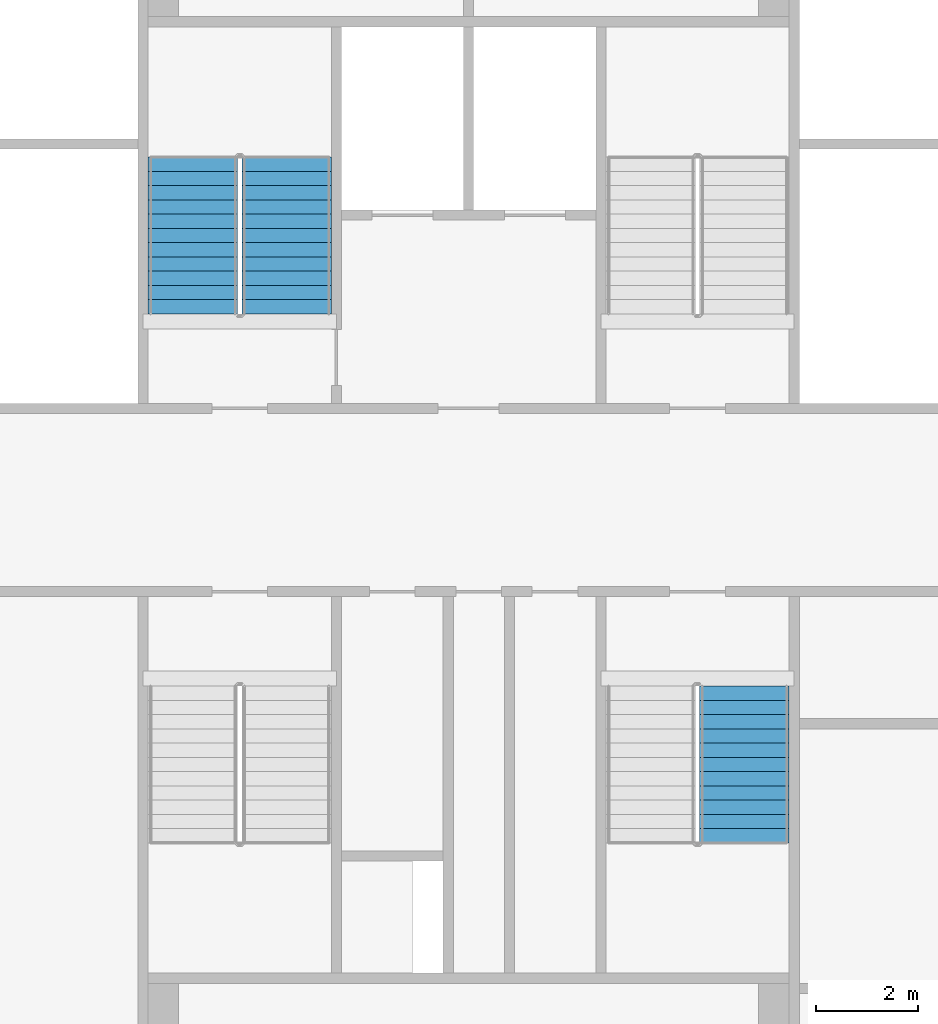
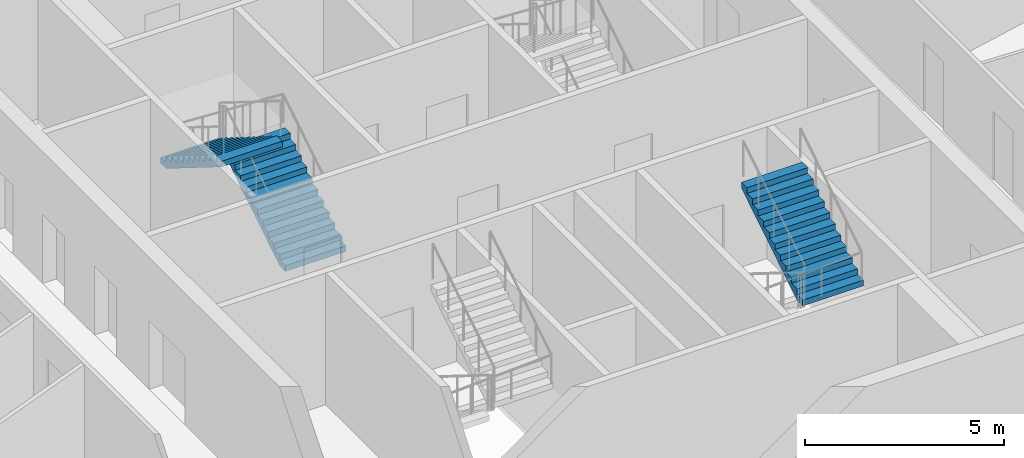
# One storey, part 27 of 33: 3 stair flights, 2 elements without a shape of their own.
"""IFC4 building model written with IfcOpenShell, lengths in metres."""

from ifc_helpers import new_model, si_unit, direction, frame, origin, place, context, subcontext, project, spatial, faceted_brep, material, type_object, element, aggregate, save


model = new_model("IFC4")

# Units and contexts
model_context = context("Model", 3, precision=1e-05, world=origin(), true_north=direction((0.0, 1.0)))
body_context = subcontext(model_context, "Body", "Model", "MODEL_VIEW")
ifc_project = project(units=[si_unit("LENGTHUNIT", "METRE"), si_unit("AREAUNIT", "SQUARE_METRE"), si_unit("VOLUMEUNIT", "CUBIC_METRE"), si_unit("PLANEANGLEUNIT", "RADIAN"), si_unit("MASSUNIT", "GRAM", prefix="KILO")], contexts=[model_context])

# Site, building, storey
site_placement = place(None, origin())
site = spatial("IfcSite", under=ifc_project, at=site_placement, CompositionType="ELEMENT")
building_placement = place(site_placement, origin())
building = spatial("IfcBuilding", under=site, at=building_placement, Name="Tarsis Ring Headquarters", CompositionType="ELEMENT")
storey_placement = place(building_placement, frame((0.0, 0.0, 369.199951171875)))
storey = spatial("IfcBuildingStorey", under=building, at=storey_placement, Name="L87", CompositionType="ELEMENT", Elevation=369.199951171875)

# Stair, stair flights
ifc_material_1 = material(Name="Core stair 1760")
stair_type = type_object("IfcStairType", Name="Core stair 1760", PredefinedType="HALF_TURN_STAIR", material=ifc_material_1)
stair_1_placement = place(storey_placement, origin())
stair_1 = element("IfcStair", 1, at=stair_1_placement, inside=storey, type_object=stair_type, Name="L87 Firefighting stair", PredefinedType="HALF_TURN_STAIR")
ifc_material_2 = material(Name="Concrete C40/50", Category="concrete")
stair_flight_type = type_object("IfcStairFlightType", Name="Core stair flight 1760", PredefinedType="STRAIGHT", material=ifc_material_2)
stair_flight_1_placement = place(storey_placement, frame((-3.580078125, 3.659912109375, 0.0), z_axis=(0.0, 0.0, 1.0), x_axis=(0.0, 1.0, 0.0)))
stair_flight_1 = element("IfcStairFlight", 2, at=stair_flight_1_placement, type_object=stair_flight_type, Name="Stair ST1 flight 1", NumberOfRisers=12, NumberOfTreads=11, PredefinedType="STRAIGHT", RiserHeight=0.175, TreadLength=0.28, context=body_context, shape_type="Brep", body=[
    faceted_brep([(0.0, 0.8798828125, 0.0), (0.0, 0.8798828125, 0.175048828125), (0.280029296875, 0.8798828125, 0.175048828125), (0.280029296875, 0.8798828125, 0.35009765625), (0.56005859375, 0.8798828125, 0.35009765625), (0.56005859375, 0.8798828125, 0.52490234375), (0.840087890625, 0.8798828125, 0.52490234375), (0.840087890625, 0.8798828125, 0.699951171875), (1.1201171875, 0.8798828125, 0.699951171875), (1.1201171875, 0.8798828125, 0.875), (1.39990234375, 0.8798828125, 0.875), (1.39990234375, 0.8798828125, 1.050048828125), (1.679931640625, 0.8798828125, 1.050048828125), (1.679931640625, 0.8798828125, 1.22509765625), (1.9599609375, 0.8798828125, 1.22509765625), (1.9599609375, 0.8798828125, 1.39990234375), (2.239990234375, 0.8798828125, 1.39990234375), (2.239990234375, 0.8798828125, 1.574951171875), (2.52001953125, 0.8798828125, 1.574951171875), (2.52001953125, 0.8798828125, 1.75), (2.800048828125, 0.8798828125, 1.75), (2.800048828125, 0.8798828125, 1.925048828125), (3.080078125, 0.8798828125, 1.925048828125), (3.080078125, 0.8798828125, 1.748291015625), (0.28271484375, 0.8798828125, 0.0), (0.28271484375, -0.8798828125, 0.0), (3.080078125, -0.8798828125, 1.748291015625), (3.080078125, -0.8798828125, 1.925048828125), (2.800048828125, -0.8798828125, 1.925048828125), (2.800048828125, -0.8798828125, 1.75), (2.52001953125, -0.8798828125, 1.75), (2.52001953125, -0.8798828125, 1.574951171875), (2.239990234375, -0.8798828125, 1.574951171875), (2.239990234375, -0.8798828125, 1.39990234375), (1.9599609375, -0.8798828125, 1.39990234375), (1.9599609375, -0.8798828125, 1.22509765625), (1.679931640625, -0.8798828125, 1.22509765625), (1.679931640625, -0.8798828125, 1.050048828125), (1.39990234375, -0.8798828125, 1.050048828125), (1.39990234375, -0.8798828125, 0.875), (1.1201171875, -0.8798828125, 0.875), (1.1201171875, -0.8798828125, 0.699951171875), (0.840087890625, -0.8798828125, 0.699951171875), (0.840087890625, -0.8798828125, 0.52490234375), (0.56005859375, -0.8798828125, 0.52490234375), (0.56005859375, -0.8798828125, 0.35009765625), (0.280029296875, -0.8798828125, 0.35009765625), (0.280029296875, -0.8798828125, 0.175048828125), (0.0, -0.8798828125, 0.175048828125), (0.0, -0.8798828125, 0.0), (0.0, -0.43994140625, 0.175048828125), (0.0, -0.43994140625, 0.0), (0.0, 0.0, 0.175048828125), (0.0, 0.0, 0.0), (0.0, 0.43994140625, 0.175048828125), (0.0, 0.43994140625, 0.0), (0.280029296875, -0.43994140625, 0.175048828125), (0.280029296875, 0.0, 0.175048828125), (0.280029296875, 0.43994140625, 0.175048828125), (0.280029296875, -0.43994140625, 0.35009765625), (0.280029296875, 0.0, 0.35009765625), (0.280029296875, 0.43994140625, 0.35009765625), (0.56005859375, -0.43994140625, 0.35009765625), (0.56005859375, 0.0, 0.35009765625), (0.56005859375, 0.43994140625, 0.35009765625), (0.56005859375, -0.43994140625, 0.52490234375), (0.56005859375, 0.0, 0.52490234375), (0.56005859375, 0.43994140625, 0.52490234375), (0.840087890625, -0.43994140625, 0.52490234375), (0.840087890625, 0.0, 0.52490234375), (0.840087890625, 0.43994140625, 0.52490234375), (0.840087890625, -0.43994140625, 0.699951171875), (0.840087890625, 0.0, 0.699951171875), (0.840087890625, 0.43994140625, 0.699951171875), (1.1201171875, -0.43994140625, 0.699951171875), (1.1201171875, 0.0, 0.699951171875), (1.1201171875, 0.43994140625, 0.699951171875), (1.1201171875, -0.43994140625, 0.875), (1.1201171875, 0.0, 0.875), (1.1201171875, 0.43994140625, 0.875), (1.39990234375, -0.43994140625, 0.875), (1.39990234375, 0.0, 0.875), (1.39990234375, 0.43994140625, 0.875), (1.39990234375, -0.43994140625, 1.050048828125), (1.39990234375, 0.0, 1.050048828125), (1.39990234375, 0.43994140625, 1.050048828125), (1.679931640625, -0.43994140625, 1.050048828125), (1.679931640625, 0.0, 1.050048828125), (1.679931640625, 0.43994140625, 1.050048828125), (1.679931640625, -0.43994140625, 1.22509765625), (1.679931640625, 0.0, 1.22509765625), (1.679931640625, 0.43994140625, 1.22509765625), (1.9599609375, -0.43994140625, 1.22509765625), (1.9599609375, 0.0, 1.22509765625), (1.9599609375, 0.43994140625, 1.22509765625), (1.9599609375, -0.43994140625, 1.39990234375), (1.9599609375, 0.0, 1.39990234375), (1.9599609375, 0.43994140625, 1.39990234375), (2.239990234375, -0.43994140625, 1.39990234375), (2.239990234375, 0.0, 1.39990234375), (2.239990234375, 0.43994140625, 1.39990234375), (2.239990234375, -0.43994140625, 1.574951171875), (2.239990234375, 0.0, 1.574951171875), (2.239990234375, 0.43994140625, 1.574951171875), (2.52001953125, -0.43994140625, 1.574951171875), (2.52001953125, 0.0, 1.574951171875), (2.52001953125, 0.43994140625, 1.574951171875), (2.52001953125, -0.43994140625, 1.75), (2.52001953125, 0.0, 1.75), (2.52001953125, 0.43994140625, 1.75), (2.800048828125, -0.43994140625, 1.75), (2.800048828125, 0.0, 1.75), (2.800048828125, 0.43994140625, 1.75), (2.800048828125, -0.43994140625, 1.925048828125), (2.800048828125, 0.0, 1.925048828125), (2.800048828125, 0.43994140625, 1.925048828125), (3.080078125, -0.43994140625, 1.925048828125), (3.080078125, 0.0, 1.925048828125), (3.080078125, 0.43994140625, 1.925048828125), (3.080078125, -0.43994140625, 1.748291015625), (3.080078125, 0.0, 1.748291015625), (3.080078125, 0.43994140625, 1.748291015625), (0.28271484375, -0.43994140625, 0.0), (0.28271484375, 0.0, 0.0), (0.28271484375, 0.43994140625, 0.0)], [[[0, 1, 2, 3, 4, 5, 6, 7, 8, 9, 10, 11, 12, 13, 14, 15, 16, 17, 18, 19, 20, 21, 22, 23, 24]], [[25, 26, 27, 28, 29, 30, 31, 32, 33, 34, 35, 36, 37, 38, 39, 40, 41, 42, 43, 44, 45, 46, 47, 48, 49]], [[49, 48, 50, 51]], [[51, 50, 52, 53]], [[53, 52, 54, 55]], [[55, 54, 1, 0]], [[48, 47, 56, 50]], [[50, 56, 57, 52]], [[52, 57, 58, 54]], [[54, 58, 2, 1]], [[47, 46, 59, 56]], [[56, 59, 60, 57]], [[57, 60, 61, 58]], [[58, 61, 3, 2]], [[46, 45, 62, 59]], [[59, 62, 63, 60]], [[60, 63, 64, 61]], [[61, 64, 4, 3]], [[45, 44, 65, 62]], [[62, 65, 66, 63]], [[63, 66, 67, 64]], [[64, 67, 5, 4]], [[44, 43, 68, 65]], [[65, 68, 69, 66]], [[66, 69, 70, 67]], [[67, 70, 6, 5]], [[43, 42, 71, 68]], [[68, 71, 72, 69]], [[69, 72, 73, 70]], [[70, 73, 7, 6]], [[42, 41, 74, 71]], [[71, 74, 75, 72]], [[72, 75, 76, 73]], [[73, 76, 8, 7]], [[41, 40, 77, 74]], [[74, 77, 78, 75]], [[75, 78, 79, 76]], [[76, 79, 9, 8]], [[40, 39, 80, 77]], [[77, 80, 81, 78]], [[78, 81, 82, 79]], [[79, 82, 10, 9]], [[39, 38, 83, 80]], [[80, 83, 84, 81]], [[81, 84, 85, 82]], [[82, 85, 11, 10]], [[38, 37, 86, 83]], [[83, 86, 87, 84]], [[84, 87, 88, 85]], [[85, 88, 12, 11]], [[37, 36, 89, 86]], [[86, 89, 90, 87]], [[87, 90, 91, 88]], [[88, 91, 13, 12]], [[36, 35, 92, 89]], [[89, 92, 93, 90]], [[90, 93, 94, 91]], [[91, 94, 14, 13]], [[35, 34, 95, 92]], [[92, 95, 96, 93]], [[93, 96, 97, 94]], [[94, 97, 15, 14]], [[34, 33, 98, 95]], [[95, 98, 99, 96]], [[96, 99, 100, 97]], [[97, 100, 16, 15]], [[33, 32, 101, 98]], [[98, 101, 102, 99]], [[99, 102, 103, 100]], [[100, 103, 17, 16]], [[32, 31, 104, 101]], [[101, 104, 105, 102]], [[102, 105, 106, 103]], [[103, 106, 18, 17]], [[31, 30, 107, 104]], [[104, 107, 108, 105]], [[105, 108, 109, 106]], [[106, 109, 19, 18]], [[30, 29, 110, 107]], [[107, 110, 111, 108]], [[108, 111, 112, 109]], [[109, 112, 20, 19]], [[29, 28, 113, 110]], [[110, 113, 114, 111]], [[111, 114, 115, 112]], [[112, 115, 21, 20]], [[28, 27, 116, 113]], [[113, 116, 117, 114]], [[114, 117, 118, 115]], [[115, 118, 22, 21]], [[27, 26, 119, 116]], [[116, 119, 120, 117]], [[117, 120, 121, 118]], [[118, 121, 23, 22]], [[26, 25, 122, 119]], [[119, 122, 123, 120]], [[120, 123, 124, 121]], [[121, 124, 24, 23]], [[25, 49, 51, 122]], [[122, 51, 53, 123]], [[123, 53, 55, 124]], [[124, 55, 0, 24]]]),
])
stair_flight_2_placement = place(storey_placement, frame((-5.419921875, 6.739990234375, 2.10009765625), z_axis=(0.0, 0.0, 1.0), x_axis=(0.0, -1.0, 0.0)))
stair_flight_2 = element("IfcStairFlight", 3, at=stair_flight_2_placement, type_object=stair_flight_type, Name="Stair ST1 flight 2", NumberOfRisers=12, NumberOfTreads=11, PredefinedType="STRAIGHT", RiserHeight=0.175, TreadLength=0.28, context=body_context, shape_type="Brep", body=[
    faceted_brep([(0.0, 0.8798828125, 0.0), (0.0, 0.8798828125, 0.175048828125), (0.280029296875, 0.8798828125, 0.175048828125), (0.280029296875, 0.8798828125, 0.35009765625), (0.56005859375, 0.8798828125, 0.35009765625), (0.56005859375, 0.8798828125, 0.52490234375), (0.840087890625, 0.8798828125, 0.52490234375), (0.840087890625, 0.8798828125, 0.699951171875), (1.1201171875, 0.8798828125, 0.699951171875), (1.1201171875, 0.8798828125, 0.875), (1.39990234375, 0.8798828125, 0.875), (1.39990234375, 0.8798828125, 1.050048828125), (1.679931640625, 0.8798828125, 1.050048828125), (1.679931640625, 0.8798828125, 1.22509765625), (1.9599609375, 0.8798828125, 1.22509765625), (1.9599609375, 0.8798828125, 1.39990234375), (2.239990234375, 0.8798828125, 1.39990234375), (2.239990234375, 0.8798828125, 1.574951171875), (2.52001953125, 0.8798828125, 1.574951171875), (2.52001953125, 0.8798828125, 1.75), (2.800048828125, 0.8798828125, 1.75), (2.800048828125, 0.8798828125, 1.925048828125), (3.080078125, 0.8798828125, 1.925048828125), (3.080078125, 0.8798828125, 1.748291015625), (0.28271484375, 0.8798828125, 0.0), (0.28271484375, -0.8798828125, 0.0), (3.080078125, -0.8798828125, 1.748291015625), (3.080078125, -0.8798828125, 1.925048828125), (2.800048828125, -0.8798828125, 1.925048828125), (2.800048828125, -0.8798828125, 1.75), (2.52001953125, -0.8798828125, 1.75), (2.52001953125, -0.8798828125, 1.574951171875), (2.239990234375, -0.8798828125, 1.574951171875), (2.239990234375, -0.8798828125, 1.39990234375), (1.9599609375, -0.8798828125, 1.39990234375), (1.9599609375, -0.8798828125, 1.22509765625), (1.679931640625, -0.8798828125, 1.22509765625), (1.679931640625, -0.8798828125, 1.050048828125), (1.39990234375, -0.8798828125, 1.050048828125), (1.39990234375, -0.8798828125, 0.875), (1.1201171875, -0.8798828125, 0.875), (1.1201171875, -0.8798828125, 0.699951171875), (0.840087890625, -0.8798828125, 0.699951171875), (0.840087890625, -0.8798828125, 0.52490234375), (0.56005859375, -0.8798828125, 0.52490234375), (0.56005859375, -0.8798828125, 0.35009765625), (0.280029296875, -0.8798828125, 0.35009765625), (0.280029296875, -0.8798828125, 0.175048828125), (0.0, -0.8798828125, 0.175048828125), (0.0, -0.8798828125, 0.0), (0.0, -0.43994140625, 0.175048828125), (0.0, -0.43994140625, 0.0), (0.0, 0.0, 0.175048828125), (0.0, 0.0, 0.0), (0.0, 0.43994140625, 0.175048828125), (0.0, 0.43994140625, 0.0), (0.280029296875, -0.43994140625, 0.175048828125), (0.280029296875, 0.0, 0.175048828125), (0.280029296875, 0.43994140625, 0.175048828125), (0.280029296875, -0.43994140625, 0.35009765625), (0.280029296875, 0.0, 0.35009765625), (0.280029296875, 0.43994140625, 0.35009765625), (0.56005859375, -0.43994140625, 0.35009765625), (0.56005859375, 0.0, 0.35009765625), (0.56005859375, 0.43994140625, 0.35009765625), (0.56005859375, -0.43994140625, 0.52490234375), (0.56005859375, 0.0, 0.52490234375), (0.56005859375, 0.43994140625, 0.52490234375), (0.840087890625, -0.43994140625, 0.52490234375), (0.840087890625, 0.0, 0.52490234375), (0.840087890625, 0.43994140625, 0.52490234375), (0.840087890625, -0.43994140625, 0.699951171875), (0.840087890625, 0.0, 0.699951171875), (0.840087890625, 0.43994140625, 0.699951171875), (1.1201171875, -0.43994140625, 0.699951171875), (1.1201171875, 0.0, 0.699951171875), (1.1201171875, 0.43994140625, 0.699951171875), (1.1201171875, -0.43994140625, 0.875), (1.1201171875, 0.0, 0.875), (1.1201171875, 0.43994140625, 0.875), (1.39990234375, -0.43994140625, 0.875), (1.39990234375, 0.0, 0.875), (1.39990234375, 0.43994140625, 0.875), (1.39990234375, -0.43994140625, 1.050048828125), (1.39990234375, 0.0, 1.050048828125), (1.39990234375, 0.43994140625, 1.050048828125), (1.679931640625, -0.43994140625, 1.050048828125), (1.679931640625, 0.0, 1.050048828125), (1.679931640625, 0.43994140625, 1.050048828125), (1.679931640625, -0.43994140625, 1.22509765625), (1.679931640625, 0.0, 1.22509765625), (1.679931640625, 0.43994140625, 1.22509765625), (1.9599609375, -0.43994140625, 1.22509765625), (1.9599609375, 0.0, 1.22509765625), (1.9599609375, 0.43994140625, 1.22509765625), (1.9599609375, -0.43994140625, 1.39990234375), (1.9599609375, 0.0, 1.39990234375), (1.9599609375, 0.43994140625, 1.39990234375), (2.239990234375, -0.43994140625, 1.39990234375), (2.239990234375, 0.0, 1.39990234375), (2.239990234375, 0.43994140625, 1.39990234375), (2.239990234375, -0.43994140625, 1.574951171875), (2.239990234375, 0.0, 1.574951171875), (2.239990234375, 0.43994140625, 1.574951171875), (2.52001953125, -0.43994140625, 1.574951171875), (2.52001953125, 0.0, 1.574951171875), (2.52001953125, 0.43994140625, 1.574951171875), (2.52001953125, -0.43994140625, 1.75), (2.52001953125, 0.0, 1.75), (2.52001953125, 0.43994140625, 1.75), (2.800048828125, -0.43994140625, 1.75), (2.800048828125, 0.0, 1.75), (2.800048828125, 0.43994140625, 1.75), (2.800048828125, -0.43994140625, 1.925048828125), (2.800048828125, 0.0, 1.925048828125), (2.800048828125, 0.43994140625, 1.925048828125), (3.080078125, -0.43994140625, 1.925048828125), (3.080078125, 0.0, 1.925048828125), (3.080078125, 0.43994140625, 1.925048828125), (3.080078125, -0.43994140625, 1.748291015625), (3.080078125, 0.0, 1.748291015625), (3.080078125, 0.43994140625, 1.748291015625), (0.28271484375, -0.43994140625, 0.0), (0.28271484375, 0.0, 0.0), (0.28271484375, 0.43994140625, 0.0)], [[[0, 1, 2, 3, 4, 5, 6, 7, 8, 9, 10, 11, 12, 13, 14, 15, 16, 17, 18, 19, 20, 21, 22, 23, 24]], [[25, 26, 27, 28, 29, 30, 31, 32, 33, 34, 35, 36, 37, 38, 39, 40, 41, 42, 43, 44, 45, 46, 47, 48, 49]], [[49, 48, 50, 51]], [[51, 50, 52, 53]], [[53, 52, 54, 55]], [[55, 54, 1, 0]], [[48, 47, 56, 50]], [[50, 56, 57, 52]], [[52, 57, 58, 54]], [[54, 58, 2, 1]], [[47, 46, 59, 56]], [[56, 59, 60, 57]], [[57, 60, 61, 58]], [[58, 61, 3, 2]], [[46, 45, 62, 59]], [[59, 62, 63, 60]], [[60, 63, 64, 61]], [[61, 64, 4, 3]], [[45, 44, 65, 62]], [[62, 65, 66, 63]], [[63, 66, 67, 64]], [[64, 67, 5, 4]], [[44, 43, 68, 65]], [[65, 68, 69, 66]], [[66, 69, 70, 67]], [[67, 70, 6, 5]], [[43, 42, 71, 68]], [[68, 71, 72, 69]], [[69, 72, 73, 70]], [[70, 73, 7, 6]], [[42, 41, 74, 71]], [[71, 74, 75, 72]], [[72, 75, 76, 73]], [[73, 76, 8, 7]], [[41, 40, 77, 74]], [[74, 77, 78, 75]], [[75, 78, 79, 76]], [[76, 79, 9, 8]], [[40, 39, 80, 77]], [[77, 80, 81, 78]], [[78, 81, 82, 79]], [[79, 82, 10, 9]], [[39, 38, 83, 80]], [[80, 83, 84, 81]], [[81, 84, 85, 82]], [[82, 85, 11, 10]], [[38, 37, 86, 83]], [[83, 86, 87, 84]], [[84, 87, 88, 85]], [[85, 88, 12, 11]], [[37, 36, 89, 86]], [[86, 89, 90, 87]], [[87, 90, 91, 88]], [[88, 91, 13, 12]], [[36, 35, 92, 89]], [[89, 92, 93, 90]], [[90, 93, 94, 91]], [[91, 94, 14, 13]], [[35, 34, 95, 92]], [[92, 95, 96, 93]], [[93, 96, 97, 94]], [[94, 97, 15, 14]], [[34, 33, 98, 95]], [[95, 98, 99, 96]], [[96, 99, 100, 97]], [[97, 100, 16, 15]], [[33, 32, 101, 98]], [[98, 101, 102, 99]], [[99, 102, 103, 100]], [[100, 103, 17, 16]], [[32, 31, 104, 101]], [[101, 104, 105, 102]], [[102, 105, 106, 103]], [[103, 106, 18, 17]], [[31, 30, 107, 104]], [[104, 107, 108, 105]], [[105, 108, 109, 106]], [[106, 109, 19, 18]], [[30, 29, 110, 107]], [[107, 110, 111, 108]], [[108, 111, 112, 109]], [[109, 112, 20, 19]], [[29, 28, 113, 110]], [[110, 113, 114, 111]], [[111, 114, 115, 112]], [[112, 115, 21, 20]], [[28, 27, 116, 113]], [[113, 116, 117, 114]], [[114, 117, 118, 115]], [[115, 118, 22, 21]], [[27, 26, 119, 116]], [[116, 119, 120, 117]], [[117, 120, 121, 118]], [[118, 121, 23, 22]], [[26, 25, 122, 119]], [[119, 122, 123, 120]], [[120, 123, 124, 121]], [[121, 124, 24, 23]], [[25, 49, 51, 122]], [[122, 51, 53, 123]], [[123, 53, 55, 124]], [[124, 55, 0, 24]]]),
])
aggregate(stair_1, [stair_flight_1, stair_flight_2])

# Stair, stair flight
stair_2_placement = place(storey_placement, origin())
stair_2 = element("IfcStair", 4, at=stair_2_placement, inside=storey, type_object=stair_type, Name="L87 Exit stair D", PredefinedType="HALF_TURN_STAIR")
stair_flight_3_placement = place(storey_placement, frame((5.419921875, -6.739990234375, 2.10009765625), z_axis=(0.0, 0.0, 1.0), x_axis=(0.0, 1.0, 0.0)))
stair_flight_3 = element("IfcStairFlight", 5, at=stair_flight_3_placement, type_object=stair_flight_type, Name="Stair ST4 flight 2", NumberOfRisers=12, NumberOfTreads=11, PredefinedType="STRAIGHT", RiserHeight=0.175, TreadLength=0.28, context=body_context, shape_type="Brep", body=[
    faceted_brep([(0.0, 0.8798828125, 0.0), (0.0, 0.8798828125, 0.175048828125), (0.280029296875, 0.8798828125, 0.175048828125), (0.280029296875, 0.8798828125, 0.35009765625), (0.56005859375, 0.8798828125, 0.35009765625), (0.56005859375, 0.8798828125, 0.52490234375), (0.840087890625, 0.8798828125, 0.52490234375), (0.840087890625, 0.8798828125, 0.699951171875), (1.1201171875, 0.8798828125, 0.699951171875), (1.1201171875, 0.8798828125, 0.875), (1.39990234375, 0.8798828125, 0.875), (1.39990234375, 0.8798828125, 1.050048828125), (1.679931640625, 0.8798828125, 1.050048828125), (1.679931640625, 0.8798828125, 1.22509765625), (1.9599609375, 0.8798828125, 1.22509765625), (1.9599609375, 0.8798828125, 1.39990234375), (2.239990234375, 0.8798828125, 1.39990234375), (2.239990234375, 0.8798828125, 1.574951171875), (2.52001953125, 0.8798828125, 1.574951171875), (2.52001953125, 0.8798828125, 1.75), (2.800048828125, 0.8798828125, 1.75), (2.800048828125, 0.8798828125, 1.925048828125), (3.080078125, 0.8798828125, 1.925048828125), (3.080078125, 0.8798828125, 1.748291015625), (0.28271484375, 0.8798828125, 0.0), (0.28271484375, -0.8798828125, 0.0), (3.080078125, -0.8798828125, 1.748291015625), (3.080078125, -0.8798828125, 1.925048828125), (2.800048828125, -0.8798828125, 1.925048828125), (2.800048828125, -0.8798828125, 1.75), (2.52001953125, -0.8798828125, 1.75), (2.52001953125, -0.8798828125, 1.574951171875), (2.239990234375, -0.8798828125, 1.574951171875), (2.239990234375, -0.8798828125, 1.39990234375), (1.9599609375, -0.8798828125, 1.39990234375), (1.9599609375, -0.8798828125, 1.22509765625), (1.679931640625, -0.8798828125, 1.22509765625), (1.679931640625, -0.8798828125, 1.050048828125), (1.39990234375, -0.8798828125, 1.050048828125), (1.39990234375, -0.8798828125, 0.875), (1.1201171875, -0.8798828125, 0.875), (1.1201171875, -0.8798828125, 0.699951171875), (0.840087890625, -0.8798828125, 0.699951171875), (0.840087890625, -0.8798828125, 0.52490234375), (0.56005859375, -0.8798828125, 0.52490234375), (0.56005859375, -0.8798828125, 0.35009765625), (0.280029296875, -0.8798828125, 0.35009765625), (0.280029296875, -0.8798828125, 0.175048828125), (0.0, -0.8798828125, 0.175048828125), (0.0, -0.8798828125, 0.0), (0.0, -0.43994140625, 0.175048828125), (0.0, -0.43994140625, 0.0), (0.0, 0.0, 0.175048828125), (0.0, 0.0, 0.0), (0.0, 0.43994140625, 0.175048828125), (0.0, 0.43994140625, 0.0), (0.280029296875, -0.43994140625, 0.175048828125), (0.280029296875, 0.0, 0.175048828125), (0.280029296875, 0.43994140625, 0.175048828125), (0.280029296875, -0.43994140625, 0.35009765625), (0.280029296875, 0.0, 0.35009765625), (0.280029296875, 0.43994140625, 0.35009765625), (0.56005859375, -0.43994140625, 0.35009765625), (0.56005859375, 0.0, 0.35009765625), (0.56005859375, 0.43994140625, 0.35009765625), (0.56005859375, -0.43994140625, 0.52490234375), (0.56005859375, 0.0, 0.52490234375), (0.56005859375, 0.43994140625, 0.52490234375), (0.840087890625, -0.43994140625, 0.52490234375), (0.840087890625, 0.0, 0.52490234375), (0.840087890625, 0.43994140625, 0.52490234375), (0.840087890625, -0.43994140625, 0.699951171875), (0.840087890625, 0.0, 0.699951171875), (0.840087890625, 0.43994140625, 0.699951171875), (1.1201171875, -0.43994140625, 0.699951171875), (1.1201171875, 0.0, 0.699951171875), (1.1201171875, 0.43994140625, 0.699951171875), (1.1201171875, -0.43994140625, 0.875), (1.1201171875, 0.0, 0.875), (1.1201171875, 0.43994140625, 0.875), (1.39990234375, -0.43994140625, 0.875), (1.39990234375, 0.0, 0.875), (1.39990234375, 0.43994140625, 0.875), (1.39990234375, -0.43994140625, 1.050048828125), (1.39990234375, 0.0, 1.050048828125), (1.39990234375, 0.43994140625, 1.050048828125), (1.679931640625, -0.43994140625, 1.050048828125), (1.679931640625, 0.0, 1.050048828125), (1.679931640625, 0.43994140625, 1.050048828125), (1.679931640625, -0.43994140625, 1.22509765625), (1.679931640625, 0.0, 1.22509765625), (1.679931640625, 0.43994140625, 1.22509765625), (1.9599609375, -0.43994140625, 1.22509765625), (1.9599609375, 0.0, 1.22509765625), (1.9599609375, 0.43994140625, 1.22509765625), (1.9599609375, -0.43994140625, 1.39990234375), (1.9599609375, 0.0, 1.39990234375), (1.9599609375, 0.43994140625, 1.39990234375), (2.239990234375, -0.43994140625, 1.39990234375), (2.239990234375, 0.0, 1.39990234375), (2.239990234375, 0.43994140625, 1.39990234375), (2.239990234375, -0.43994140625, 1.574951171875), (2.239990234375, 0.0, 1.574951171875), (2.239990234375, 0.43994140625, 1.574951171875), (2.52001953125, -0.43994140625, 1.574951171875), (2.52001953125, 0.0, 1.574951171875), (2.52001953125, 0.43994140625, 1.574951171875), (2.52001953125, -0.43994140625, 1.75), (2.52001953125, 0.0, 1.75), (2.52001953125, 0.43994140625, 1.75), (2.800048828125, -0.43994140625, 1.75), (2.800048828125, 0.0, 1.75), (2.800048828125, 0.43994140625, 1.75), (2.800048828125, -0.43994140625, 1.925048828125), (2.800048828125, 0.0, 1.925048828125), (2.800048828125, 0.43994140625, 1.925048828125), (3.080078125, -0.43994140625, 1.925048828125), (3.080078125, 0.0, 1.925048828125), (3.080078125, 0.43994140625, 1.925048828125), (3.080078125, -0.43994140625, 1.748291015625), (3.080078125, 0.0, 1.748291015625), (3.080078125, 0.43994140625, 1.748291015625), (0.28271484375, -0.43994140625, 0.0), (0.28271484375, 0.0, 0.0), (0.28271484375, 0.43994140625, 0.0)], [[[0, 1, 2, 3, 4, 5, 6, 7, 8, 9, 10, 11, 12, 13, 14, 15, 16, 17, 18, 19, 20, 21, 22, 23, 24]], [[25, 26, 27, 28, 29, 30, 31, 32, 33, 34, 35, 36, 37, 38, 39, 40, 41, 42, 43, 44, 45, 46, 47, 48, 49]], [[49, 48, 50, 51]], [[51, 50, 52, 53]], [[53, 52, 54, 55]], [[55, 54, 1, 0]], [[48, 47, 56, 50]], [[50, 56, 57, 52]], [[52, 57, 58, 54]], [[54, 58, 2, 1]], [[47, 46, 59, 56]], [[56, 59, 60, 57]], [[57, 60, 61, 58]], [[58, 61, 3, 2]], [[46, 45, 62, 59]], [[59, 62, 63, 60]], [[60, 63, 64, 61]], [[61, 64, 4, 3]], [[45, 44, 65, 62]], [[62, 65, 66, 63]], [[63, 66, 67, 64]], [[64, 67, 5, 4]], [[44, 43, 68, 65]], [[65, 68, 69, 66]], [[66, 69, 70, 67]], [[67, 70, 6, 5]], [[43, 42, 71, 68]], [[68, 71, 72, 69]], [[69, 72, 73, 70]], [[70, 73, 7, 6]], [[42, 41, 74, 71]], [[71, 74, 75, 72]], [[72, 75, 76, 73]], [[73, 76, 8, 7]], [[41, 40, 77, 74]], [[74, 77, 78, 75]], [[75, 78, 79, 76]], [[76, 79, 9, 8]], [[40, 39, 80, 77]], [[77, 80, 81, 78]], [[78, 81, 82, 79]], [[79, 82, 10, 9]], [[39, 38, 83, 80]], [[80, 83, 84, 81]], [[81, 84, 85, 82]], [[82, 85, 11, 10]], [[38, 37, 86, 83]], [[83, 86, 87, 84]], [[84, 87, 88, 85]], [[85, 88, 12, 11]], [[37, 36, 89, 86]], [[86, 89, 90, 87]], [[87, 90, 91, 88]], [[88, 91, 13, 12]], [[36, 35, 92, 89]], [[89, 92, 93, 90]], [[90, 93, 94, 91]], [[91, 94, 14, 13]], [[35, 34, 95, 92]], [[92, 95, 96, 93]], [[93, 96, 97, 94]], [[94, 97, 15, 14]], [[34, 33, 98, 95]], [[95, 98, 99, 96]], [[96, 99, 100, 97]], [[97, 100, 16, 15]], [[33, 32, 101, 98]], [[98, 101, 102, 99]], [[99, 102, 103, 100]], [[100, 103, 17, 16]], [[32, 31, 104, 101]], [[101, 104, 105, 102]], [[102, 105, 106, 103]], [[103, 106, 18, 17]], [[31, 30, 107, 104]], [[104, 107, 108, 105]], [[105, 108, 109, 106]], [[106, 109, 19, 18]], [[30, 29, 110, 107]], [[107, 110, 111, 108]], [[108, 111, 112, 109]], [[109, 112, 20, 19]], [[29, 28, 113, 110]], [[110, 113, 114, 111]], [[111, 114, 115, 112]], [[112, 115, 21, 20]], [[28, 27, 116, 113]], [[113, 116, 117, 114]], [[114, 117, 118, 115]], [[115, 118, 22, 21]], [[27, 26, 119, 116]], [[116, 119, 120, 117]], [[117, 120, 121, 118]], [[118, 121, 23, 22]], [[26, 25, 122, 119]], [[119, 122, 123, 120]], [[120, 123, 124, 121]], [[121, 124, 24, 23]], [[25, 49, 51, 122]], [[122, 51, 53, 123]], [[123, 53, 55, 124]], [[124, 55, 0, 24]]]),
])
aggregate(stair_2, [stair_flight_3])

save(model, "model.ifc")
